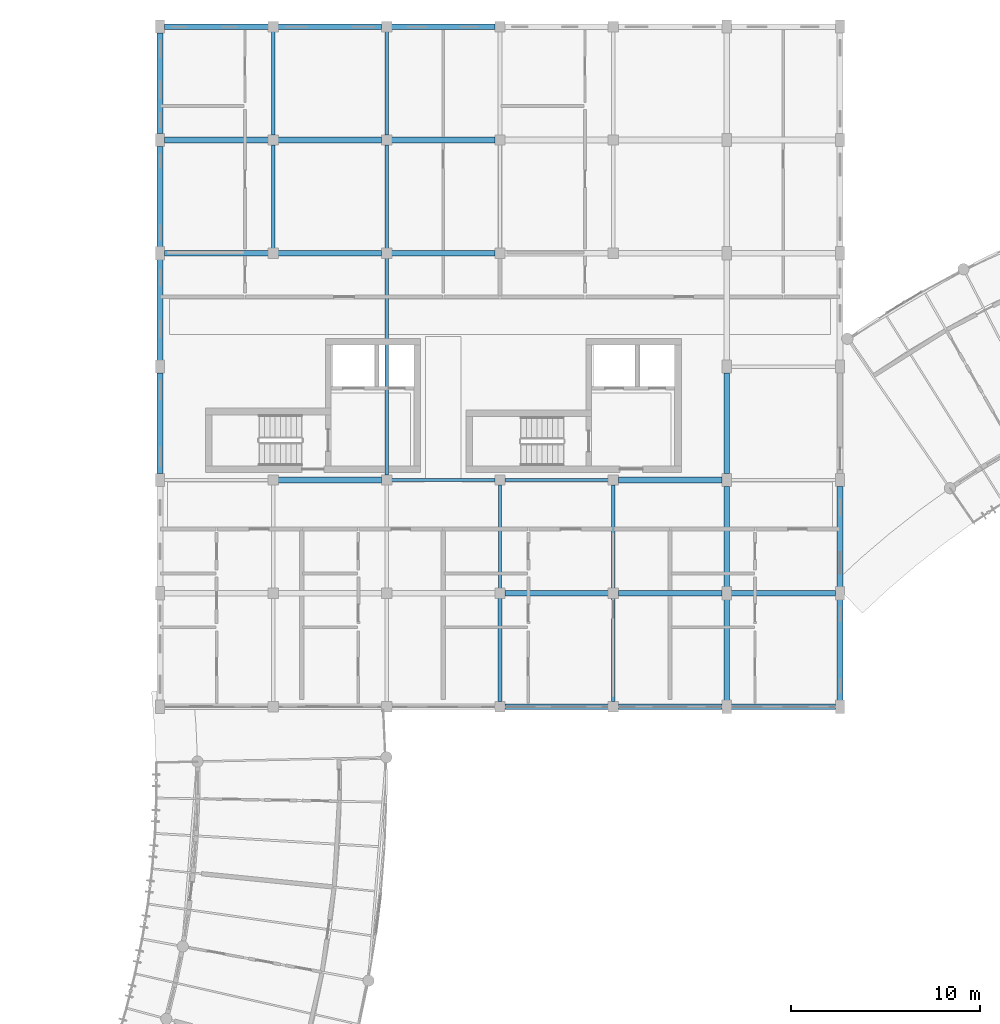
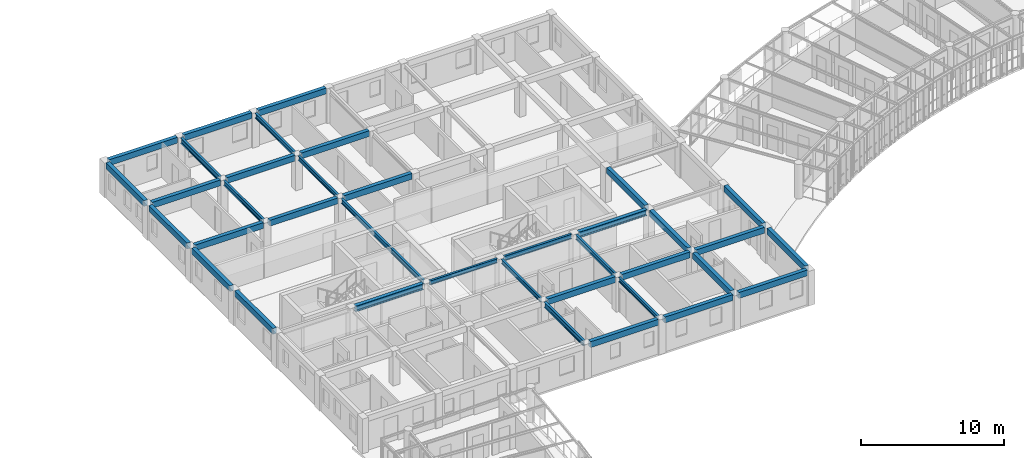
# One storey, part 25 of 101: 37 beams.
"""IFC4 building model written with IfcOpenShell, lengths in metres."""

from ifc_helpers import new_model, si_unit, direction, frame, origin, origin_2d, place, context, subcontext, project, spatial, rectangle, i_section, extrude, material, material_profile, profile_set, type_object, element, save


model = new_model("IFC4")

# Units and contexts
model_context = context("Model", 3, precision=1e-05, world=origin(), true_north=direction((0.0, 1.0)))
body_context = subcontext(model_context, "Body", "Model", "MODEL_VIEW")
ifc_project = project(units=[si_unit("LENGTHUNIT", "METRE"), si_unit("AREAUNIT", "SQUARE_METRE"), si_unit("VOLUMEUNIT", "CUBIC_METRE"), si_unit("PLANEANGLEUNIT", "RADIAN"), si_unit("MASSUNIT", "GRAM", prefix="KILO"), si_unit("POWERUNIT", "WATT"), si_unit("THERMODYNAMICTEMPERATUREUNIT", "KELVIN")], contexts=[model_context])

# Site, building, storey
site_placement = place(None, origin())
site = spatial("IfcSite", under=ifc_project, at=site_placement, CompositionType="ELEMENT")
building_placement = place(site_placement, origin())
building = spatial("IfcBuilding", under=site, at=building_placement, Name="Ruvembo Vaulted Housing Court", CompositionType="ELEMENT")
storey_placement = place(building_placement, frame((0.0, 0.0, 17.300048828125)))
storey = spatial("IfcBuildingStorey", under=building, at=storey_placement, Name="L05", CompositionType="ELEMENT", Elevation=17.300048828125)

# Beams
ifc_material_1 = material(Name="Steel S355J2", Category="steel")
ifc_material_profile_1 = material_profile(ifc_material_1, i_section(OverallWidth=0.300048828125, OverallDepth=0.5, WebThickness=0.014404296875, FlangeThickness=0.028076171875, FilletRadius=0.027099609375, at=origin_2d()), Name="HEB 320")
ifc_profile_set_1 = profile_set([ifc_material_profile_1], Name="Steel S355J2")
beam_type_1 = type_object("IfcBeamType", Name="BM-ST-HEB320", PredefinedType="BEAM", material=ifc_profile_set_1)
beam_1_placement = place(storey_placement, frame((54.260009765625, 90.0, 2.676025390625), z_axis=(1.0, 0.0, 0.0), x_axis=(0.0, 1.0, 0.0)))
element("IfcBeam", 1, at=beam_1_placement, inside=storey, type_object=beam_type_1, Name="L05 Grid Beam X #2387", PredefinedType="BEAM", context=body_context, shape_type="SweptSolid", body=[
    extrude(i_section(OverallWidth=0.300048828125, OverallDepth=0.5, WebThickness=0.014404296875, FlangeThickness=0.028076171875, FilletRadius=0.027099609375, at=origin_2d()), origin(), (0.0, 0.0, 1.0), 5.47998046875),
])
beam_2_placement = place(storey_placement, frame((72.260009765625, 90.0, 2.676025390625), z_axis=(1.0, 0.0, 0.0), x_axis=(0.0, 1.0, 0.0)))
element("IfcBeam", 2, at=beam_2_placement, inside=storey, type_object=beam_type_1, Name="L05 Grid Beam X #2390", PredefinedType="BEAM", context=body_context, shape_type="SweptSolid", body=[
    extrude(i_section(OverallWidth=0.300048828125, OverallDepth=0.5, WebThickness=0.014404296875, FlangeThickness=0.028076171875, FilletRadius=0.027099609375, at=origin_2d()), origin(), (0.0, 0.0, 1.0), 5.5048828125),
])
ifc_material_profile_2 = material_profile(ifc_material_1, i_section(OverallWidth=0.169921875, OverallDepth=0.360107421875, WebThickness=0.008056640625, FlangeThickness=0.0126953125, FilletRadius=0.01806640625, at=origin_2d()), Name="IPE 360")
ifc_profile_set_2 = profile_set([ifc_material_profile_2], Name="Steel S355J2")
beam_type_2 = type_object("IfcBeamType", Name="BM-ST-IPE360", PredefinedType="BEAM", material=ifc_profile_set_2)
for number, where, z_axis, x_axis, name in (
    (3, (60.260009765625, 90.0, 2.745849609375), (1.0, 0.0, 0.0), (0.0, 1.0, 0.0), "L05 Grid Beam X #2388"),
    (4, (60.0, 102.260009765625, 2.745849609375), (0.0, 1.0, 0.0), (-1.0, 0.0, 0.0), "L05 Grid Beam Y #2469"),
    (5, (66.0, 84.260009765625, 2.745849609375), (0.0, 1.0, 0.0), (-1.0, 0.0, 0.0), "L05 Grid Beam Y #2472"),
    (6, (72.0, 78.260009765625, 2.745849609375), (0.0, 1.0, 0.0), (-1.0, 0.0, 0.0), "L05 Grid Beam Y #2475"),
):
    element("IfcBeam", number, at=place(storey_placement, frame(where, z_axis=z_axis, x_axis=x_axis)), inside=storey, type_object=beam_type_2, Name=name, PredefinedType="BEAM", context=body_context, shape_type="SweptSolid", body=[
        extrude(i_section(OverallWidth=0.169921875, OverallDepth=0.360107421875, WebThickness=0.008056640625, FlangeThickness=0.0126953125, FilletRadius=0.01806640625, at=origin_2d()), origin(), (0.0, 0.0, 1.0), 5.47998046875),
    ])
ifc_material_profile_3 = material_profile(ifc_material_1, i_section(OverallWidth=0.179931640625, OverallDepth=0.39990234375, WebThickness=0.008544921875, FlangeThickness=0.013427734375, FilletRadius=0.02099609375, at=origin_2d()), Name="IPE 400")
ifc_profile_set_3 = profile_set([ifc_material_profile_3], Name="Steel S355J2")
beam_type_3 = type_object("IfcBeamType", Name="BM-ST-IPE400", PredefinedType="BEAM", material=ifc_profile_set_3)
for number, where, z_axis, x_axis, name in (
    (7, (66.260009765625, 90.0, 2.725830078125), (1.0, 0.0, 0.0), (0.0, 1.0, 0.0), "L05 Grid Beam X #2389"),
    (8, (54.0, 102.260009765625, 2.725830078125), (0.0, 1.0, 0.0), (-1.0, 0.0, 0.0), "L05 Grid Beam Y #2464"),
):
    element("IfcBeam", number, at=place(storey_placement, frame(where, z_axis=z_axis, x_axis=x_axis)), inside=storey, type_object=beam_type_3, Name=name, PredefinedType="BEAM", context=body_context, shape_type="SweptSolid", body=[
        extrude(i_section(OverallWidth=0.179931640625, OverallDepth=0.39990234375, WebThickness=0.008544921875, FlangeThickness=0.013427734375, FilletRadius=0.02099609375, at=origin_2d()), origin(), (0.0, 0.0, 1.0), 5.47998046875),
    ])
beam_3_placement = place(storey_placement, frame((60.0, 90.260009765625, 2.725830078125), z_axis=(0.0, 1.0, 0.0), x_axis=(-1.0, 0.0, 0.0)))
element("IfcBeam", 9, at=beam_3_placement, inside=storey, type_object=beam_type_3, Name="L05 Grid Beam Y #2468", PredefinedType="BEAM", context=body_context, shape_type="SweptSolid", body=[
    extrude(i_section(OverallWidth=0.179931640625, OverallDepth=0.39990234375, WebThickness=0.008544921875, FlangeThickness=0.013427734375, FilletRadius=0.02099609375, at=origin_2d()), origin(), (0.0, 0.0, 1.0), 11.47998046875),
])
for number, where, z_axis, x_axis, name in (
    (10, (60.0, 108.260009765625, 2.725830078125), (0.0, 1.0, 0.0), (-1.0, 0.0, 0.0), "L05 Grid Beam Y #2470"),
    (11, (72.0, 84.260009765625, 2.725830078125), (0.0, 1.0, 0.0), (-1.0, 0.0, 0.0), "L05 Grid Beam Y #2476"),
):
    element("IfcBeam", number, at=place(storey_placement, frame(where, z_axis=z_axis, x_axis=x_axis)), inside=storey, type_object=beam_type_3, Name=name, PredefinedType="BEAM", context=body_context, shape_type="SweptSolid", body=[
        extrude(i_section(OverallWidth=0.179931640625, OverallDepth=0.39990234375, WebThickness=0.008544921875, FlangeThickness=0.013427734375, FilletRadius=0.02099609375, at=origin_2d()), origin(), (0.0, 0.0, 1.0), 5.47998046875),
    ])
ifc_material_profile_4 = material_profile(ifc_material_1, i_section(OverallWidth=0.18994140625, OverallDepth=0.449951171875, WebThickness=0.009521484375, FlangeThickness=0.0146484375, FilletRadius=0.02099609375, at=origin_2d()), Name="IPE 450")
ifc_profile_set_4 = profile_set([ifc_material_profile_4], Name="Steel S355J2")
beam_type_4 = type_object("IfcBeamType", Name="BM-ST-IPE450", PredefinedType="BEAM", material=ifc_profile_set_4)
for number, where, z_axis, x_axis, name in (
    (12, (54.0, 108.260009765625, 2.700927734375), (0.0, 1.0, 0.0), (-1.0, 0.0, 0.0), "L05 Grid Beam Y #2465"),
    (13, (66.0, 78.260009765625, 2.700927734375), (0.0, 1.0, 0.0), (-1.0, 0.0, 0.0), "L05 Grid Beam Y #2471"),
):
    element("IfcBeam", number, at=place(storey_placement, frame(where, z_axis=z_axis, x_axis=x_axis)), inside=storey, type_object=beam_type_4, Name=name, PredefinedType="BEAM", context=body_context, shape_type="SweptSolid", body=[
        extrude(i_section(OverallWidth=0.18994140625, OverallDepth=0.449951171875, WebThickness=0.009521484375, FlangeThickness=0.0146484375, FilletRadius=0.02099609375, at=origin_2d()), origin(), (0.0, 0.0, 1.0), 5.47998046875),
    ])
ifc_material_2 = material(Name="Concrete C35/45", Category="concrete")
ifc_material_profile_5 = material_profile(ifc_material_2, rectangle(XDim=0.300048828125, YDim=0.5, at=origin_2d()), Name="RC 300x500")
ifc_profile_set_5 = profile_set([ifc_material_profile_5], Name="Concrete C35/45")
beam_type_5 = type_object("IfcBeamType", Name="SP-RC-300x500", PredefinedType="SPANDREL", material=ifc_profile_set_5)
beam_4_placement = place(storey_placement, frame((66.260009765625, 78.0, 2.71484375), z_axis=(1.0, 0.0, 0.0), x_axis=(0.0, 1.0, 0.0)))
element("IfcBeam", 14, at=beam_4_placement, inside=storey, type_object=beam_type_5, Name="L05 Grid Beam X #2367", PredefinedType="SPANDREL", context=body_context, shape_type="SweptSolid", body=[
    extrude(rectangle(XDim=0.300048828125, YDim=0.5, at=origin_2d()), origin(), (0.0, 0.0, 1.0), 5.47998046875),
])
beam_5_placement = place(storey_placement, frame((72.260009765625, 78.0, 2.71484375), z_axis=(1.0, 0.0, 0.0), x_axis=(0.0, 1.0, 0.0)))
element("IfcBeam", 15, at=beam_5_placement, inside=storey, type_object=beam_type_5, Name="L05 Grid Beam X #2368", PredefinedType="SPANDREL", context=body_context, shape_type="SweptSolid", body=[
    extrude(rectangle(XDim=0.300048828125, YDim=0.5, at=origin_2d()), origin(), (0.0, 0.0, 1.0), 5.5048828125),
])
beam_6_placement = place(storey_placement, frame((78.235107421875, 78.0, 2.71484375), z_axis=(1.0, 0.0, 0.0), x_axis=(0.0, 1.0, 0.0)))
element("IfcBeam", 16, at=beam_6_placement, inside=storey, type_object=beam_type_5, Name="L05 Grid Beam X #2369", PredefinedType="SPANDREL", context=body_context, shape_type="SweptSolid", body=[
    extrude(rectangle(XDim=0.300048828125, YDim=0.5, at=origin_2d()), origin(), (0.0, 0.0, 1.0), 5.52978515625),
])
beam_7_placement = place(storey_placement, frame((66.260009765625, 84.0, 2.71484375), z_axis=(1.0, 0.0, 0.0), x_axis=(0.0, 1.0, 0.0)))
element("IfcBeam", 17, at=beam_7_placement, inside=storey, type_object=beam_type_5, Name="L05 Grid Beam X #2378", PredefinedType="SPANDREL", context=body_context, shape_type="SweptSolid", body=[
    extrude(rectangle(XDim=0.300048828125, YDim=0.5, at=origin_2d()), origin(), (0.0, 0.0, 1.0), 5.47998046875),
])
beam_8_placement = place(storey_placement, frame((72.260009765625, 84.0, 2.71484375), z_axis=(1.0, 0.0, 0.0), x_axis=(0.0, 1.0, 0.0)))
element("IfcBeam", 18, at=beam_8_placement, inside=storey, type_object=beam_type_5, Name="L05 Grid Beam X #2379", PredefinedType="SPANDREL", context=body_context, shape_type="SweptSolid", body=[
    extrude(rectangle(XDim=0.300048828125, YDim=0.5, at=origin_2d()), origin(), (0.0, 0.0, 1.0), 5.5048828125),
])
beam_9_placement = place(storey_placement, frame((78.235107421875, 84.0, 2.71484375), z_axis=(1.0, 0.0, 0.0), x_axis=(0.0, 1.0, 0.0)))
element("IfcBeam", 19, at=beam_9_placement, inside=storey, type_object=beam_type_5, Name="L05 Grid Beam X #2380", PredefinedType="SPANDREL", context=body_context, shape_type="SweptSolid", body=[
    extrude(rectangle(XDim=0.300048828125, YDim=0.5, at=origin_2d()), origin(), (0.0, 0.0, 1.0), 5.52978515625),
])
beam_10_placement = place(storey_placement, frame((48.235107421875, 102.0, 2.71484375), z_axis=(1.0, 0.0, 0.0), x_axis=(0.0, 1.0, 0.0)))
element("IfcBeam", 20, at=beam_10_placement, inside=storey, type_object=beam_type_5, Name="L05 Grid Beam X #2398", PredefinedType="SPANDREL", context=body_context, shape_type="SweptSolid", body=[
    extrude(rectangle(XDim=0.300048828125, YDim=0.5, at=origin_2d()), origin(), (0.0, 0.0, 1.0), 5.5048828125),
])
for number, where, z_axis, x_axis, name in (
    (21, (54.260009765625, 102.0, 2.71484375), (1.0, 0.0, 0.0), (0.0, 1.0, 0.0), "L05 Grid Beam X #2399"),
    (22, (60.260009765625, 102.0, 2.71484375), (1.0, 0.0, 0.0), (0.0, 1.0, 0.0), "L05 Grid Beam X #2400"),
):
    element("IfcBeam", number, at=place(storey_placement, frame(where, z_axis=z_axis, x_axis=x_axis)), inside=storey, type_object=beam_type_5, Name=name, PredefinedType="SPANDREL", context=body_context, shape_type="SweptSolid", body=[
        extrude(rectangle(XDim=0.300048828125, YDim=0.5, at=origin_2d()), origin(), (0.0, 0.0, 1.0), 5.47998046875),
    ])
beam_11_placement = place(storey_placement, frame((48.235107421875, 108.0, 2.71484375), z_axis=(1.0, 0.0, 0.0), x_axis=(0.0, 1.0, 0.0)))
element("IfcBeam", 23, at=beam_11_placement, inside=storey, type_object=beam_type_5, Name="L05 Grid Beam X #2409", PredefinedType="SPANDREL", context=body_context, shape_type="SweptSolid", body=[
    extrude(rectangle(XDim=0.300048828125, YDim=0.5, at=origin_2d()), origin(), (0.0, 0.0, 1.0), 5.5048828125),
])
for number, where, z_axis, x_axis, name in (
    (24, (54.260009765625, 108.0, 2.71484375), (1.0, 0.0, 0.0), (0.0, 1.0, 0.0), "L05 Grid Beam X #2410"),
    (25, (60.260009765625, 108.0, 2.71484375), (1.0, 0.0, 0.0), (0.0, 1.0, 0.0), "L05 Grid Beam X #2411"),
):
    element("IfcBeam", number, at=place(storey_placement, frame(where, z_axis=z_axis, x_axis=x_axis)), inside=storey, type_object=beam_type_5, Name=name, PredefinedType="SPANDREL", context=body_context, shape_type="SweptSolid", body=[
        extrude(rectangle(XDim=0.300048828125, YDim=0.5, at=origin_2d()), origin(), (0.0, 0.0, 1.0), 5.47998046875),
    ])
beam_12_placement = place(storey_placement, frame((48.235107421875, 114.0, 2.71484375), z_axis=(1.0, 0.0, 0.0), x_axis=(0.0, 1.0, 0.0)))
element("IfcBeam", 26, at=beam_12_placement, inside=storey, type_object=beam_type_5, Name="L05 Grid Beam X #2415", PredefinedType="SPANDREL", context=body_context, shape_type="SweptSolid", body=[
    extrude(rectangle(XDim=0.300048828125, YDim=0.5, at=origin_2d()), origin(), (0.0, 0.0, 1.0), 5.5048828125),
])
for number, where, z_axis, x_axis, name in (
    (27, (54.260009765625, 114.0, 2.71484375), (1.0, 0.0, 0.0), (0.0, 1.0, 0.0), "L05 Grid Beam X #2416"),
    (28, (60.260009765625, 114.0, 2.71484375), (1.0, 0.0, 0.0), (0.0, 1.0, 0.0), "L05 Grid Beam X #2417"),
):
    element("IfcBeam", number, at=place(storey_placement, frame(where, z_axis=z_axis, x_axis=x_axis)), inside=storey, type_object=beam_type_5, Name=name, PredefinedType="SPANDREL", context=body_context, shape_type="SweptSolid", body=[
        extrude(rectangle(XDim=0.300048828125, YDim=0.5, at=origin_2d()), origin(), (0.0, 0.0, 1.0), 5.47998046875),
    ])
for number, where, z_axis, x_axis, name in (
    (29, (48.0, 90.3349609375, 2.71484375), (0.0, 1.0, 0.0), (-1.0, 0.0, 0.0), "L05 Grid Beam Y #2458"),
    (30, (48.0, 96.3349609375, 2.71484375), (0.0, 1.0, 0.0), (-1.0, 0.0, 0.0), "L05 Grid Beam Y #2459"),
    (31, (48.0, 102.3349609375, 2.71484375), (0.0, 1.0, 0.0), (-1.0, 0.0, 0.0), "L05 Grid Beam Y #2460"),
    (32, (48.0, 108.3349609375, 2.71484375), (0.0, 1.0, 0.0), (-1.0, 0.0, 0.0), "L05 Grid Beam Y #2461"),
    (33, (78.0, 78.3349609375, 2.71484375), (0.0, 1.0, 0.0), (-1.0, 0.0, 0.0), "L05 Grid Beam Y #2479"),
    (34, (78.0, 84.3349609375, 2.71484375), (0.0, 1.0, 0.0), (-1.0, 0.0, 0.0), "L05 Grid Beam Y #2480"),
    (35, (78.0, 90.3349609375, 2.71484375), (0.0, 1.0, 0.0), (-1.0, 0.0, 0.0), "L05 Grid Beam Y #2481"),
    (36, (84.0, 78.3349609375, 2.71484375), (0.0, 1.0, 0.0), (-1.0, 0.0, 0.0), "L05 Grid Beam Y #2485"),
    (37, (84.0, 84.3349609375, 2.71484375), (0.0, 1.0, 0.0), (-1.0, 0.0, 0.0), "L05 Grid Beam Y #2486"),
):
    element("IfcBeam", number, at=place(storey_placement, frame(where, z_axis=z_axis, x_axis=x_axis)), inside=storey, type_object=beam_type_5, Name=name, PredefinedType="SPANDREL", context=body_context, shape_type="SweptSolid", body=[
        extrude(rectangle(XDim=0.300048828125, YDim=0.5, at=origin_2d()), origin(), (0.0, 0.0, 1.0), 5.330078125),
    ])

save(model, "model.ifc")
